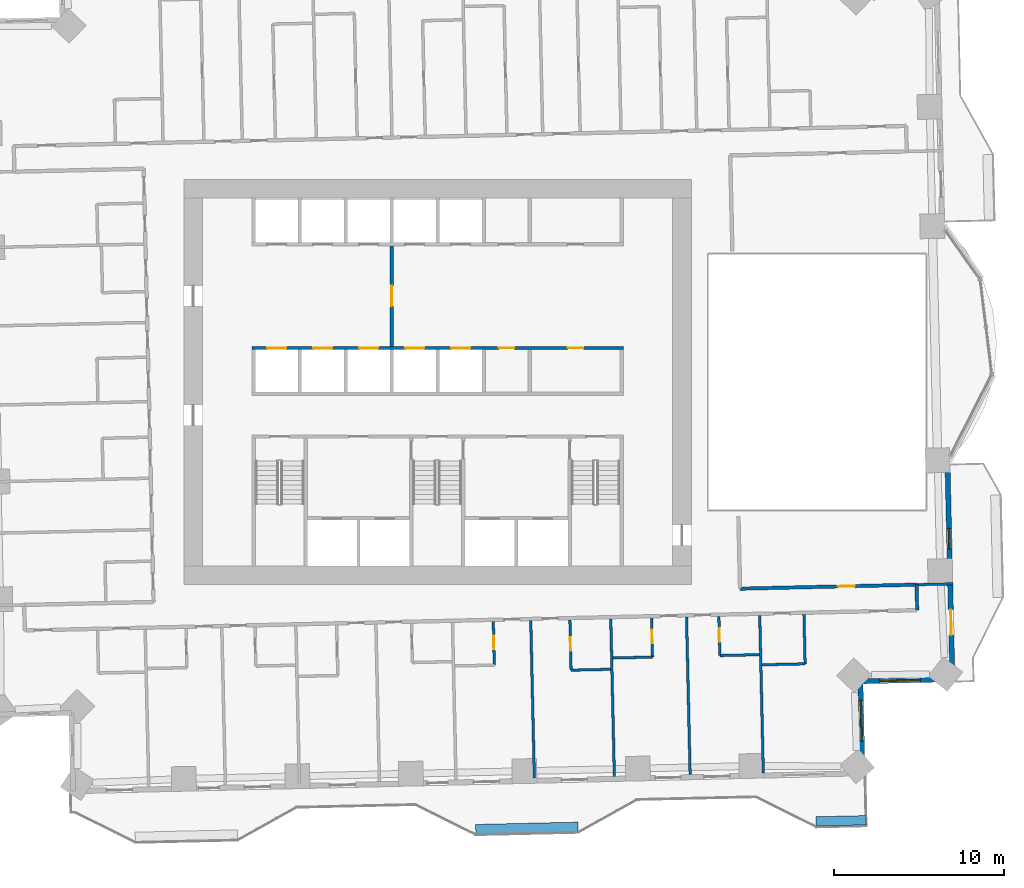
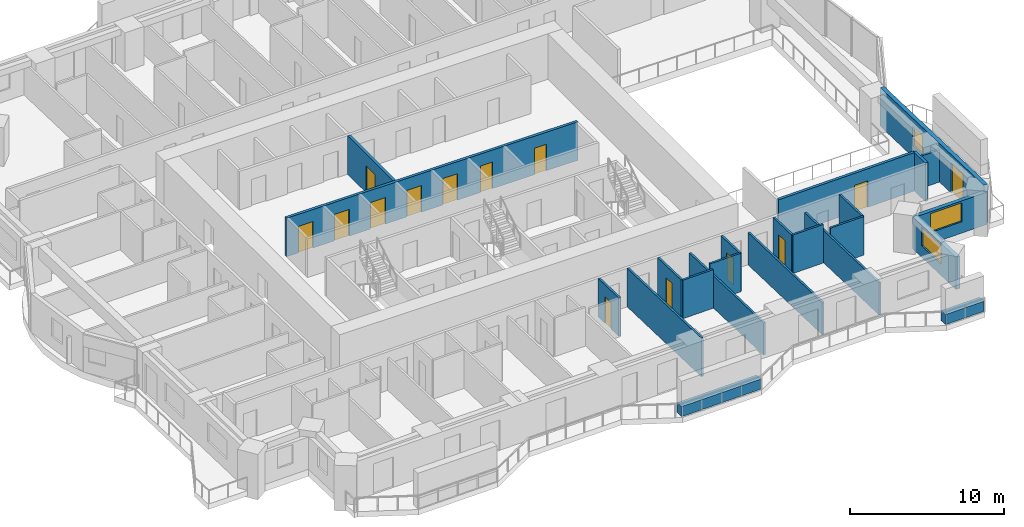
# One storey, part 9 of 17: 23 walls, 14 doors, 3 windows, 17 openings.
"""IFC4 building model written with IfcOpenShell, lengths in metres."""

from ifc_helpers import new_model, si_unit, direction, frame, frame_2d, origin, place, context, subcontext, project, spatial, rectangle, extrude, material, layer, layer_set, type_object, element, fill, save


model = new_model("IFC4")

# Units and contexts
model_context = context("Model", 3, precision=1e-05, world=origin(), true_north=direction((0.0, 1.0)))
body_context = subcontext(model_context, "Body", "Model", "MODEL_VIEW")
ifc_project = project(units=[si_unit("LENGTHUNIT", "METRE"), si_unit("AREAUNIT", "SQUARE_METRE"), si_unit("VOLUMEUNIT", "CUBIC_METRE"), si_unit("PLANEANGLEUNIT", "RADIAN"), si_unit("MASSUNIT", "GRAM", prefix="KILO")], contexts=[model_context])

# Site, building, storey
site_placement = place(None, origin())
site = spatial("IfcSite", under=ifc_project, at=site_placement, CompositionType="ELEMENT")
building_placement = place(site_placement, origin())
building = spatial("IfcBuilding", under=site, at=building_placement, Name="Mangrove Gate Tower", CompositionType="ELEMENT")
storey_placement = place(building_placement, frame((0.0, 0.0, 79.300048828125)))
storey = spatial("IfcBuildingStorey", under=building, at=storey_placement, Name="L19", CompositionType="ELEMENT", Elevation=79.300048828125)

# Wall, opening, door
ifc_material_1 = material(Name="Concrete C32/40", Category="concrete")
ifc_layer_1 = layer(ifc_material_1, 0.199951171875)
ifc_layer_set_1 = layer_set([ifc_layer_1], Name="Core lobby wall 200 C32/40")
wall_type_1 = type_object("IfcWallType", Name="Core lobby wall 200 C32/40", PredefinedType="STANDARD", material=ifc_layer_set_1)
wall_1_placement = place(storey_placement, frame((-2.699951171875, 2.10009765625, 0.0), z_axis=(0.0, 0.0, 1.0), x_axis=(0.0, 1.0, 0.0)))
wall_1 = element("IfcWall", 1, at=wall_1_placement, inside=storey, type_object=wall_type_1, Name="WALL-L19-CORE-35", PredefinedType="STANDARD", context=body_context, shape_type="SweptSolid", body=[
    extrude(rectangle(XDim=5.89990234375, YDim=0.199951171875, at=frame_2d((2.949951171875, 0.0))), origin(), (0.0, 0.0, 1.0), 3.050048828125),
])
opening_1_placement = place(wall_1_placement, frame((2.35009765625, 0.0, 0.0)))
opening_1 = element("IfcOpeningElement", 2, at=opening_1_placement, cuts=wall_1, Name="Opening FL12", PredefinedType="OPENING", context=body_context, shape_type="SweptSolid", body=[
    extrude(rectangle(XDim=1.199951171875, YDim=2.10009765625, at=frame_2d((0.60009765625, 1.050048828125))), frame((0.0, 0.10986328125, 0.0), z_axis=(0.0, -1.0, 0.0), x_axis=(1.0, 0.0, 0.0)), (0.0, 0.0, 1.0), 0.219970703125),
])
ifc_material_2 = material(Name="Fire-rated steel door set", Category="steel")
door_type_1 = type_object("IfcDoorType", Name="Lobby door FD60 1200x2100", OperationType="SINGLE_SWING_LEFT", PredefinedType="DOOR", material=ifc_material_2)
door_1_placement = place(opening_1_placement, origin())
door_1 = element("IfcDoor", 3, at=door_1_placement, inside=storey, type_object=door_type_1, Name="Lobby door lift lobby partition", OperationType="SINGLE_SWING_LEFT", OverallHeight=2.10009765625, OverallWidth=1.199951171875, PredefinedType="DOOR", context=body_context, shape_type="SweptSolid", body=[
    extrude(rectangle(XDim=1.199951171875, YDim=2.10009765625, at=frame_2d((0.60009765625, 1.050048828125))), frame((0.0, 0.02490234375, 0.0), z_axis=(0.0, -1.0, 0.0), x_axis=(1.0, 0.0, 0.0)), (0.0, 0.0, 1.0), 0.050048828125),
])
fill(opening_1, door_1)

# Wall, openings, doors
ifc_material_3 = material(Name="Concrete C70/85", Category="concrete")
ifc_layer_2 = layer(ifc_material_3, 0.199951171875)
ifc_layer_set_2 = layer_set([ifc_layer_2], Name="Core shaft wall 200 C70/85")
wall_type_2 = type_object("IfcWallType", Name="Core shaft wall 200 C70/85", PredefinedType="SHEAR", material=ifc_layer_set_2)
wall_2_placement = place(storey_placement, frame((-10.89990234375, 2.0, 0.0), z_axis=(0.0, 0.0, 1.0), x_axis=(1.0, 0.0, 0.0)))
wall_2 = element("IfcWall", 4, at=wall_2_placement, inside=storey, type_object=wall_type_2, Name="WALL-L19-CORE-7", PredefinedType="SHEAR", context=body_context, shape_type="SweptSolid", body=[
    extrude(rectangle(XDim=21.7998046875, YDim=0.199951171875, at=frame_2d((10.89990234375, 0.0))), origin(), (0.0, 0.0, 1.0), 3.050048828125),
])
opening_2_placement = place(wall_2_placement, frame((0.89990234375, 0.0, 0.0)))
opening_2 = element("IfcOpeningElement", 5, at=opening_2_placement, cuts=wall_2, Name="Opening LD", PredefinedType="OPENING", context=body_context, shape_type="SweptSolid", body=[
    extrude(rectangle(XDim=1.10009765625, YDim=2.10009765625, at=frame_2d((0.550048828125, 1.050048828125))), frame((0.0, 0.10986328125, 0.0), z_axis=(0.0, -1.0, 0.0), x_axis=(1.0, 0.0, 0.0)), (0.0, 0.0, 1.0), 0.219970703125),
])
opening_3_placement = place(wall_2_placement, frame((3.60009765625, 0.0, 0.0)))
opening_3 = element("IfcOpeningElement", 6, at=opening_3_placement, cuts=wall_2, Name="Opening LD", PredefinedType="OPENING", context=body_context, shape_type="SweptSolid", body=[
    extrude(rectangle(XDim=1.10009765625, YDim=2.10009765625, at=frame_2d((0.550048828125, 1.050048828125))), frame((0.0, 0.10986328125, 0.0), z_axis=(0.0, -1.0, 0.0), x_axis=(1.0, 0.0, 0.0)), (0.0, 0.0, 1.0), 0.219970703125),
])
opening_4_placement = place(wall_2_placement, frame((6.300048828125, 0.0, 0.0)))
opening_4 = element("IfcOpeningElement", 7, at=opening_4_placement, cuts=wall_2, Name="Opening LD", PredefinedType="OPENING", context=body_context, shape_type="SweptSolid", body=[
    extrude(rectangle(XDim=1.10009765625, YDim=2.10009765625, at=frame_2d((0.550048828125, 1.050048828125))), frame((0.0, 0.10986328125, 0.0), z_axis=(0.0, -1.0, 0.0), x_axis=(1.0, 0.0, 0.0)), (0.0, 0.0, 1.0), 0.219970703125),
])
opening_5_placement = place(wall_2_placement, frame((9.0, 0.0, 0.0)))
opening_5 = element("IfcOpeningElement", 8, at=opening_5_placement, cuts=wall_2, Name="Opening LD", PredefinedType="OPENING", context=body_context, shape_type="SweptSolid", body=[
    extrude(rectangle(XDim=1.10009765625, YDim=2.10009765625, at=frame_2d((0.550048828125, 1.050048828125))), frame((0.0, 0.10986328125, 0.0), z_axis=(0.0, -1.0, 0.0), x_axis=(1.0, 0.0, 0.0)), (0.0, 0.0, 1.0), 0.219970703125),
])
opening_6_placement = place(wall_2_placement, frame((11.699951171875, 0.0, 0.0)))
opening_6 = element("IfcOpeningElement", 9, at=opening_6_placement, cuts=wall_2, Name="Opening LD", PredefinedType="OPENING", context=body_context, shape_type="SweptSolid", body=[
    extrude(rectangle(XDim=1.10009765625, YDim=2.10009765625, at=frame_2d((0.550048828125, 1.050048828125))), frame((0.0, 0.10986328125, 0.0), z_axis=(0.0, -1.0, 0.0), x_axis=(1.0, 0.0, 0.0)), (0.0, 0.0, 1.0), 0.219970703125),
])
opening_7_placement = place(wall_2_placement, frame((14.5, 0.0, 0.0)))
opening_7 = element("IfcOpeningElement", 10, at=opening_7_placement, cuts=wall_2, Name="Opening KD", PredefinedType="OPENING", context=body_context, shape_type="SweptSolid", body=[
    extrude(rectangle(XDim=0.89990234375, YDim=2.10009765625, at=frame_2d((0.449951171875, 1.050048828125))), frame((0.0, 0.10986328125, 0.0), z_axis=(0.0, -1.0, 0.0), x_axis=(1.0, 0.0, 0.0)), (0.0, 0.0, 1.0), 0.219970703125),
])
opening_8_placement = place(wall_2_placement, frame((18.550048828125, 0.0, 0.0)))
opening_8 = element("IfcOpeningElement", 11, at=opening_8_placement, cuts=wall_2, Name="Opening RD", PredefinedType="OPENING", context=body_context, shape_type="SweptSolid", body=[
    extrude(rectangle(XDim=0.89990234375, YDim=2.10009765625, at=frame_2d((0.449951171875, 1.050048828125))), frame((0.0, 0.10986328125, 0.0), z_axis=(0.0, -1.0, 0.0), x_axis=(1.0, 0.0, 0.0)), (0.0, 0.0, 1.0), 0.219970703125),
])
ifc_material_4 = material(Name="Fire-rated steel door set", Category="steel")
door_type_2 = type_object("IfcDoorType", Name="Core room door FD30S 900x2100", OperationType="SINGLE_SWING_RIGHT", PredefinedType="DOOR", material=ifc_material_4)
door_2_placement = place(opening_7_placement, origin())
door_2 = element("IfcDoor", 12, at=door_2_placement, inside=storey, type_object=door_type_2, Name="Core room door Refuse store", OperationType="SINGLE_SWING_RIGHT", OverallHeight=2.10009765625, OverallWidth=0.89990234375, PredefinedType="DOOR", context=body_context, shape_type="SweptSolid", body=[
    extrude(rectangle(XDim=0.89990234375, YDim=2.10009765625, at=frame_2d((0.449951171875, 1.050048828125))), frame((0.0, 0.02490234375, 0.0), z_axis=(0.0, -1.0, 0.0), x_axis=(1.0, 0.0, 0.0)), (0.0, 0.0, 1.0), 0.050048828125),
])
fill(opening_7, door_2)
ifc_material_5 = material(Name="Stainless steel 316", Category="steel")
door_type_3 = type_object("IfcDoorType", Name="Lift landing door 1100x2100", OperationType="SLIDING_TO_LEFT", PredefinedType="DOOR", material=ifc_material_5)
door_3_placement = place(opening_2_placement, origin())
door_3 = element("IfcDoor", 13, at=door_3_placement, inside=storey, type_object=door_type_3, Name="Landing door LD P01", OperationType="SLIDING_TO_LEFT", OverallHeight=2.10009765625, OverallWidth=1.10009765625, PredefinedType="DOOR", context=body_context, shape_type="SweptSolid", body=[
    extrude(rectangle(XDim=1.10009765625, YDim=2.10009765625, at=frame_2d((0.550048828125, 1.050048828125))), frame((0.0, 0.02490234375, 0.0), z_axis=(0.0, -1.0, 0.0), x_axis=(1.0, 0.0, 0.0)), (0.0, 0.0, 1.0), 0.050048828125),
])
fill(opening_2, door_3)
door_4_placement = place(opening_3_placement, origin())
door_4 = element("IfcDoor", 14, at=door_4_placement, inside=storey, type_object=door_type_3, Name="Landing door LD P02", OperationType="SLIDING_TO_LEFT", OverallHeight=2.10009765625, OverallWidth=1.10009765625, PredefinedType="DOOR", context=body_context, shape_type="SweptSolid", body=[
    extrude(rectangle(XDim=1.10009765625, YDim=2.10009765625, at=frame_2d((0.550048828125, 1.050048828125))), frame((0.0, 0.02490234375, 0.0), z_axis=(0.0, -1.0, 0.0), x_axis=(1.0, 0.0, 0.0)), (0.0, 0.0, 1.0), 0.050048828125),
])
fill(opening_3, door_4)
door_5_placement = place(opening_4_placement, origin())
door_5 = element("IfcDoor", 15, at=door_5_placement, inside=storey, type_object=door_type_3, Name="Landing door LD P03", OperationType="SLIDING_TO_LEFT", OverallHeight=2.10009765625, OverallWidth=1.10009765625, PredefinedType="DOOR", context=body_context, shape_type="SweptSolid", body=[
    extrude(rectangle(XDim=1.10009765625, YDim=2.10009765625, at=frame_2d((0.550048828125, 1.050048828125))), frame((0.0, 0.02490234375, 0.0), z_axis=(0.0, -1.0, 0.0), x_axis=(1.0, 0.0, 0.0)), (0.0, 0.0, 1.0), 0.050048828125),
])
fill(opening_4, door_5)
door_6_placement = place(opening_5_placement, origin())
door_6 = element("IfcDoor", 16, at=door_6_placement, inside=storey, type_object=door_type_3, Name="Landing door LD P04", OperationType="SLIDING_TO_LEFT", OverallHeight=2.10009765625, OverallWidth=1.10009765625, PredefinedType="DOOR", context=body_context, shape_type="SweptSolid", body=[
    extrude(rectangle(XDim=1.10009765625, YDim=2.10009765625, at=frame_2d((0.550048828125, 1.050048828125))), frame((0.0, 0.02490234375, 0.0), z_axis=(0.0, -1.0, 0.0), x_axis=(1.0, 0.0, 0.0)), (0.0, 0.0, 1.0), 0.050048828125),
])
fill(opening_5, door_6)
door_7_placement = place(opening_6_placement, origin())
door_7 = element("IfcDoor", 17, at=door_7_placement, inside=storey, type_object=door_type_3, Name="Landing door LD P05", OperationType="SLIDING_TO_LEFT", OverallHeight=2.10009765625, OverallWidth=1.10009765625, PredefinedType="DOOR", context=body_context, shape_type="SweptSolid", body=[
    extrude(rectangle(XDim=1.10009765625, YDim=2.10009765625, at=frame_2d((0.550048828125, 1.050048828125))), frame((0.0, 0.02490234375, 0.0), z_axis=(0.0, -1.0, 0.0), x_axis=(1.0, 0.0, 0.0)), (0.0, 0.0, 1.0), 0.050048828125),
])
fill(opening_6, door_7)
ifc_material_6 = material(Name="Fire-rated steel door set", Category="steel")
door_type_4 = type_object("IfcDoorType", Name="Riser door FD30S 900x2100", OperationType="SINGLE_SWING_LEFT", PredefinedType="DOOR", material=ifc_material_6)
door_8_placement = place(opening_8_placement, origin())
door_8 = element("IfcDoor", 18, at=door_8_placement, inside=storey, type_object=door_type_4, Name="Riser door Electrical room", OperationType="SINGLE_SWING_LEFT", OverallHeight=2.10009765625, OverallWidth=0.89990234375, PredefinedType="DOOR", context=body_context, shape_type="SweptSolid", body=[
    extrude(rectangle(XDim=0.89990234375, YDim=2.10009765625, at=frame_2d((0.449951171875, 1.050048828125))), frame((0.0, 0.02490234375, 0.0), z_axis=(0.0, -1.0, 0.0), x_axis=(1.0, 0.0, 0.0)), (0.0, 0.0, 1.0), 0.050048828125),
])
fill(opening_8, door_8)

# Wall
ifc_material_7 = material(Name="Gypsum board on steel stud, EI 60", Category="steel")
ifc_layer_3 = layer(ifc_material_7, 0.199951171875)
ifc_layer_set_3 = layer_set([ifc_layer_3], Name="Corridor wall EI 60")
wall_type_3 = type_object("IfcWallType", Name="Corridor wall EI 60", PredefinedType="PARTITIONING", material=ifc_layer_set_3)
wall_3_placement = place(storey_placement, frame((28.157958984375, -13.40087890625, 0.0), z_axis=(0.0, 0.0, 1.0), x_axis=(-0.022636322434, 0.999743765625, 0.0)))
element("IfcWall", 19, at=wall_3_placement, inside=storey, type_object=wall_type_3, Name="WALL-L19-032", PredefinedType="PARTITIONING", context=body_context, shape_type="SweptSolid", body=[
    extrude(rectangle(XDim=1.499267578125, YDim=0.199951171875, at=frame_2d((0.74951171875, 0.0))), origin(), (0.0, 0.0, 1.0), 3.050048828125),
])

# Wall, opening, door
wall_4_placement = place(storey_placement, frame((17.7529296875, -12.136962890625, 0.0), z_axis=(0.0, 0.0, 1.0), x_axis=(0.999743727281, 0.022638015856, 0.0)))
wall_4 = element("IfcWall", 20, at=wall_4_placement, inside=storey, type_object=wall_type_3, Name="WALL-L19-037", PredefinedType="PARTITIONING", context=body_context, shape_type="SweptSolid", body=[
    extrude(rectangle(XDim=10.374755859375, YDim=0.199951171875, at=frame_2d((5.1875, 0.0))), origin(), (0.0, 0.0, 1.0), 3.050048828125),
])
opening_9_placement = place(wall_4_placement, frame((5.75, 0.0, 0.0)))
opening_9 = element("IfcOpeningElement", 21, at=opening_9_placement, cuts=wall_4, Name="Opening AD", PredefinedType="OPENING", context=body_context, shape_type="SweptSolid", body=[
    extrude(rectangle(XDim=1.0, YDim=2.10009765625, at=frame_2d((0.5, 1.050048828125))), frame((0.0, 0.10986328125, 0.0), z_axis=(0.0, -1.0, 0.0), x_axis=(1.0, 0.0, 0.0)), (0.0, 0.0, 1.0), 0.219970703125),
])
ifc_material_8 = material(Name="Timber door leaf", Category="wood")
door_type_5 = type_object("IfcDoorType", Name="Amenity door 1000", OperationType="SINGLE_SWING_LEFT", PredefinedType="DOOR", material=ifc_material_8)
door_9_placement = place(opening_9_placement, origin())
door_9 = element("IfcDoor", 22, at=door_9_placement, inside=storey, type_object=door_type_5, Name="DOOR-L19-GAM-c3b", OperationType="SINGLE_SWING_LEFT", OverallHeight=2.10009765625, OverallWidth=1.0, PredefinedType="DOOR", context=body_context, shape_type="SweptSolid", body=[
    extrude(rectangle(XDim=1.0, YDim=2.10009765625, at=frame_2d((0.5, 1.050048828125))), frame((0.0, 0.02490234375, 0.0), z_axis=(0.0, -1.0, 0.0), x_axis=(1.0, 0.0, 0.0)), (0.0, 0.0, 1.0), 0.050048828125),
])
fill(opening_9, door_9)

# Wall, openings, door, window
ifc_material_9 = material(Name="Limestone", Category="masonry")
ifc_layer_4 = layer(ifc_material_9, 0.0400390625, Name="Limestone cladding")
ifc_material_10 = material(Name="Ventilated air gap")
ifc_layer_5 = layer(ifc_material_10, 0.0400390625, Name="Ventilated cavity")
ifc_material_11 = material(Name="Mineral wool insulation")
ifc_layer_6 = layer(ifc_material_11, 0.06005859375, Name="Insulation")
ifc_material_12 = material(Name="Breather membrane")
ifc_layer_7 = layer(ifc_material_12, 0.001953125, Name="Breather membrane")
ifc_material_13 = material(Name="Concrete C20/25 blockwork", Category="masonry")
ifc_layer_8 = layer(ifc_material_13, 0.14990234375, Name="Blockwork backing wall")
ifc_material_14 = material(Name="Gypsum plaster")
ifc_layer_9 = layer(ifc_material_14, 0.008056640625, Name="Internal plaster")
ifc_layer_set_4 = layer_set([ifc_layer_4, ifc_layer_5, ifc_layer_6, ifc_layer_7, ifc_layer_8, ifc_layer_9], Name="External wall 300 limestone cladding")
wall_type_4 = type_object("IfcWallType", Name="External wall 300 limestone cladding", PredefinedType="SOLIDWALL", material=ifc_layer_set_4)
wall_5_placement = place(storey_placement, frame((30.22705078125, -17.455078125, 0.0), z_axis=(0.0, 0.0, 1.0), x_axis=(-0.022734702163, 0.999741533256, 0.0)))
wall_5 = element("IfcWall", 23, at=wall_5_placement, inside=storey, type_object=wall_type_4, Name="WALL-L19-E0", PredefinedType="SOLIDWALL", context=body_context, shape_type="SweptSolid", body=[
    extrude(rectangle(XDim=12.929443359375, YDim=0.300048828125, at=frame_2d((6.46484375, 0.0))), origin(), (0.0, 0.0, 1.0), 3.050048828125),
])
opening_10_placement = place(wall_5_placement, frame((2.592041015625, 0.0, 0.0)))
opening_10 = element("IfcOpeningElement", 24, at=opening_10_placement, cuts=wall_5, Name="Opening BD1", PredefinedType="OPENING", context=body_context, shape_type="SweptSolid", body=[
    extrude(rectangle(XDim=1.5, YDim=2.39990234375, at=frame_2d((0.75, 1.199951171875))), frame((0.0, 0.159912109375, 0.0), z_axis=(0.0, -1.0, 0.0), x_axis=(1.0, 0.0, 0.0)), (0.0, 0.0, 1.0), 0.320068359375),
])
opening_11_placement = place(wall_5_placement, frame((7.658935546875, 0.0, 0.89990234375)))
opening_11 = element("IfcOpeningElement", 25, at=opening_11_placement, cuts=wall_5, Name="Opening W1", PredefinedType="OPENING", context=body_context, shape_type="SweptSolid", body=[
    extrude(rectangle(XDim=1.199951171875, YDim=1.5, at=frame_2d((0.60009765625, 0.75))), frame((0.0, 0.159912109375, 0.0), z_axis=(0.0, -1.0, 0.0), x_axis=(1.0, 0.0, 0.0)), (0.0, 0.0, 1.0), 0.320068359375),
])
ifc_material_15 = material(Name="Aluminium frame with laminated clear glass", Category="aluminium")
door_type_6 = type_object("IfcDoorType", Name="Balcony sliding door 1500x2400", OperationType="SLIDING_TO_LEFT", PredefinedType="DOOR", material=ifc_material_15)
door_10_placement = place(opening_10_placement, origin())
door_10 = element("IfcDoor", 26, at=door_10_placement, inside=storey, type_object=door_type_6, Name="DOOR-L19-E0-1", OperationType="SLIDING_TO_LEFT", OverallHeight=2.39990234375, OverallWidth=1.5, PredefinedType="DOOR", context=body_context, shape_type="SweptSolid", body=[
    extrude(rectangle(XDim=1.5, YDim=2.39990234375, at=frame_2d((0.75, 1.199951171875))), frame((0.0, 0.02490234375, 0.0), z_axis=(0.0, -1.0, 0.0), x_axis=(1.0, 0.0, 0.0)), (0.0, 0.0, 1.0), 0.050048828125),
])
fill(opening_10, door_10)
ifc_material_16 = material(Name="Aluminium frame with double-glazed low-e glass", Category="aluminium")
window_type_1 = type_object("IfcWindowType", Name="Side lite 1200x1500", PartitioningType="SINGLE_PANEL", PredefinedType="WINDOW", material=ifc_material_16)
window_1_placement = place(opening_11_placement, origin())
window_1 = element("IfcWindow", 27, at=window_1_placement, inside=storey, type_object=window_type_1, Name="WIN-L19-E0-2", OverallHeight=1.5, OverallWidth=1.199951171875, PartitioningType="SINGLE_PANEL", PredefinedType="WINDOW", context=body_context, shape_type="SweptSolid", body=[
    extrude(rectangle(XDim=1.199951171875, YDim=1.5, at=frame_2d((0.60009765625, 0.75))), frame((0.0, 0.030029296875, 0.0), z_axis=(0.0, -1.0, 0.0), x_axis=(1.0, 0.0, 0.0)), (0.0, 0.0, 1.0), 0.06005859375),
])
fill(opening_11, window_1)

# Wall, opening, window
wall_6_placement = place(storey_placement, frame((24.950927734375, -22.97705078125, 0.0), z_axis=(0.0, 0.0, 1.0), x_axis=(-0.022784045517, 0.999740409941, 0.0)))
wall_6 = element("IfcWall", 28, at=wall_6_placement, inside=storey, type_object=wall_type_4, Name="WALL-L19-E14", PredefinedType="SOLIDWALL", context=body_context, shape_type="SweptSolid", body=[
    extrude(rectangle(XDim=5.400634765625, YDim=0.300048828125, at=frame_2d((2.7001953125, 0.0))), origin(), (0.0, 0.0, 1.0), 2.550048828125),
])
opening_12_placement = place(wall_6_placement, frame((1.885009765625, 0.0, 0.89990234375)))
opening_12 = element("IfcOpeningElement", 29, at=opening_12_placement, cuts=wall_6, Name="Opening W2", PredefinedType="OPENING", context=body_context, shape_type="SweptSolid", body=[
    extrude(rectangle(XDim=2.39990234375, YDim=1.5, at=frame_2d((1.199951171875, 0.75))), frame((0.0, 0.159912109375, 0.0), z_axis=(0.0, -1.0, 0.0), x_axis=(1.0, 0.0, 0.0)), (0.0, 0.0, 1.0), 0.320068359375),
])
ifc_material_17 = material(Name="Aluminium frame with double-glazed low-e glass", Category="aluminium")
window_type_2 = type_object("IfcWindowType", Name="Corner room window 2400x1500", PartitioningType="DOUBLE_PANEL_VERTICAL", PredefinedType="WINDOW", material=ifc_material_17)
window_2_placement = place(opening_12_placement, origin())
window_2 = element("IfcWindow", 30, at=window_2_placement, inside=storey, type_object=window_type_2, Name="WIN-L19-E14-1", OverallHeight=1.5, OverallWidth=2.39990234375, PartitioningType="DOUBLE_PANEL_VERTICAL", PredefinedType="WINDOW", context=body_context, shape_type="SweptSolid", body=[
    extrude(rectangle(XDim=2.39990234375, YDim=1.5, at=frame_2d((1.199951171875, 0.75))), frame((0.0, 0.030029296875, 0.0), z_axis=(0.0, -1.0, 0.0), x_axis=(1.0, 0.0, 0.0)), (0.0, 0.0, 1.0), 0.06005859375),
])
fill(opening_12, window_2)

wall_7_placement = place(storey_placement, frame((24.827880859375, -17.577880859375, 0.0), z_axis=(0.0, 0.0, 1.0), x_axis=(0.99974143864, 0.022738862475, 0.0)))
wall_7 = element("IfcWall", 31, at=wall_7_placement, inside=storey, type_object=wall_type_4, Name="WALL-L19-S15", PredefinedType="SOLIDWALL", context=body_context, shape_type="SweptSolid", body=[
    extrude(rectangle(XDim=5.400634765625, YDim=0.300048828125, at=frame_2d((2.7001953125, 0.0))), origin(), (0.0, 0.0, 1.0), 2.550048828125),
])
opening_13_placement = place(wall_7_placement, frame((1.116943359375, 0.0, 0.89990234375)))
opening_13 = element("IfcOpeningElement", 32, at=opening_13_placement, cuts=wall_7, Name="Opening W2", PredefinedType="OPENING", context=body_context, shape_type="SweptSolid", body=[
    extrude(rectangle(XDim=2.39990234375, YDim=1.5, at=frame_2d((1.199951171875, 0.75))), frame((0.0, 0.159912109375, 0.0), z_axis=(0.0, -1.0, 0.0), x_axis=(1.0, 0.0, 0.0)), (0.0, 0.0, 1.0), 0.320068359375),
])
window_3_placement = place(opening_13_placement, origin())
window_3 = element("IfcWindow", 33, at=window_3_placement, inside=storey, type_object=window_type_2, Name="WIN-L19-S15-1", OverallHeight=1.5, OverallWidth=2.39990234375, PartitioningType="DOUBLE_PANEL_VERTICAL", PredefinedType="WINDOW", context=body_context, shape_type="SweptSolid", body=[
    extrude(rectangle(XDim=2.39990234375, YDim=1.5, at=frame_2d((1.199951171875, 0.75))), frame((0.0, 0.030029296875, 0.0), z_axis=(0.0, -1.0, 0.0), x_axis=(1.0, 0.0, 0.0)), (0.0, 0.0, 1.0), 0.06005859375),
])
fill(opening_13, window_3)

# Walls
ifc_material_18 = material(Name="Gypsum board on steel stud, EI 60", Category="steel")
ifc_layer_10 = layer(ifc_material_18, 0.14990234375)
ifc_layer_set_5 = layer_set([ifc_layer_10], Name="Party wall 150 EI 60")
wall_type_5 = type_object("IfcWallType", Name="Party wall 150 EI 60", PredefinedType="PARTITIONING", material=ifc_layer_set_5)
wall_8_placement = place(storey_placement, frame((5.676025390625, -23.263916015625, 0.0), z_axis=(0.0, 0.0, 1.0), x_axis=(-0.022698023584, 0.999742366675, 0.0)))
element("IfcWall", 34, at=wall_8_placement, inside=storey, type_object=wall_type_5, Name="WALL-L19-006", PredefinedType="PARTITIONING", context=body_context, shape_type="SweptSolid", body=[
    extrude(rectangle(XDim=9.250244140625, YDim=0.14990234375, at=frame_2d((4.625, 0.0))), origin(), (0.0, 0.0, 1.0), 3.050048828125),
])
wall_9_placement = place(storey_placement, frame((10.375, -23.157958984375, 0.0), z_axis=(0.0, 0.0, 1.0), x_axis=(-0.022697424684, 0.999742380272, 0.0)))
element("IfcWall", 35, at=wall_9_placement, inside=storey, type_object=wall_type_5, Name="WALL-L19-007", PredefinedType="PARTITIONING", context=body_context, shape_type="SweptSolid", body=[
    extrude(rectangle(XDim=9.25048828125, YDim=0.14990234375, at=frame_2d((4.625244140625, 0.0))), origin(), (0.0, 0.0, 1.0), 2.550048828125),
])
wall_10_placement = place(storey_placement, frame((14.823974609375, -23.056884765625, 0.0), z_axis=(0.0, 0.0, 1.0), x_axis=(-0.022698023584, 0.999742366675, 0.0)))
element("IfcWall", 36, at=wall_10_placement, inside=storey, type_object=wall_type_5, Name="WALL-L19-008", PredefinedType="PARTITIONING", context=body_context, shape_type="SweptSolid", body=[
    extrude(rectangle(XDim=9.250244140625, YDim=0.14990234375, at=frame_2d((4.625, 0.0))), origin(), (0.0, 0.0, 1.0), 2.550048828125),
])
wall_11_placement = place(storey_placement, frame((19.123046875, -22.958984375, 0.0), z_axis=(0.0, 0.0, 1.0), x_axis=(-0.022697424684, 0.999742380272, 0.0)))
element("IfcWall", 37, at=wall_11_placement, inside=storey, type_object=wall_type_5, Name="WALL-L19-009", PredefinedType="PARTITIONING", context=body_context, shape_type="SweptSolid", body=[
    extrude(rectangle(XDim=9.25048828125, YDim=0.14990234375, at=frame_2d((4.625244140625, 0.0))), origin(), (0.0, 0.0, 1.0), 2.550048828125),
])

# Wall, opening, door
wall_12_placement = place(storey_placement, frame((7.8330078125, -16.923095703125, 0.0), z_axis=(0.0, 0.0, 1.0), x_axis=(-0.022601485787, 0.999744553794, 0.0)))
wall_12 = element("IfcWall", 38, at=wall_12_placement, inside=storey, type_object=wall_type_5, Name="WALL-L19-012", PredefinedType="PARTITIONING", context=body_context, shape_type="SweptSolid", body=[
    extrude(rectangle(XDim=2.959716796875, YDim=0.14990234375, at=frame_2d((1.47998046875, 0.0))), origin(), (0.0, 0.0, 1.0), 3.050048828125),
])
opening_14_placement = place(wall_12_placement, frame((1.1298828125, 0.0, 0.0)))
opening_14 = element("IfcOpeningElement", 39, at=opening_14_placement, cuts=wall_12, Name="Opening ED", PredefinedType="OPENING", context=body_context, shape_type="SweptSolid", body=[
    extrude(rectangle(XDim=0.800048828125, YDim=2.10009765625, at=frame_2d((0.39990234375, 1.050048828125))), frame((0.0, 0.0849609375, 0.0), z_axis=(0.0, -1.0, 0.0), x_axis=(1.0, 0.0, 0.0)), (0.0, 0.0, 1.0), 0.169921875),
])
ifc_material_19 = material(Name="Timber door leaf", Category="wood")
door_type_7 = type_object("IfcDoorType", Name="En-suite door 800", OperationType="SINGLE_SWING_LEFT", PredefinedType="DOOR", material=ifc_material_19)
door_11_placement = place(opening_14_placement, origin())
door_11 = element("IfcDoor", 40, at=door_11_placement, inside=storey, type_object=door_type_7, Name="DOOR-L19-ENS-c206", OperationType="SINGLE_SWING_RIGHT", OverallHeight=2.10009765625, OverallWidth=0.800048828125, PredefinedType="DOOR", context=body_context, shape_type="SweptSolid", body=[
    extrude(rectangle(XDim=0.800048828125, YDim=2.10009765625, at=frame_2d((0.39990234375, 1.050048828125))), frame((0.0, 0.02490234375, 0.0), z_axis=(0.0, -1.0, 0.0), x_axis=(1.0, 0.0, 0.0)), (0.0, 0.0, 1.0), 0.050048828125),
])
fill(opening_14, door_11)

# Walls
wall_13_placement = place(storey_placement, frame((7.8369140625, -16.923095703125, 0.0), z_axis=(0.0, 0.0, 1.0), x_axis=(0.999749744571, 0.022370700241, 0.0)))
element("IfcWall", 41, at=wall_13_placement, inside=storey, type_object=wall_type_5, Name="WALL-L19-013", PredefinedType="PARTITIONING", context=body_context, shape_type="SweptSolid", body=[
    extrude(rectangle(XDim=2.324462890625, YDim=0.14990234375, at=frame_2d((1.162109375, 0.0))), origin(), (0.0, 0.0, 1.0), 3.050048828125),
])
wall_14_placement = place(storey_placement, frame((19.05810546875, -16.60888671875, 0.0), z_axis=(0.0, 0.0, 1.0), x_axis=(0.999737322729, 0.022919108675, 0.0)))
element("IfcWall", 42, at=wall_14_placement, inside=storey, type_object=wall_type_5, Name="WALL-L19-014", PredefinedType="PARTITIONING", context=body_context, shape_type="SweptSolid", body=[
    extrude(rectangle(XDim=2.524658203125, YDim=0.14990234375, at=frame_2d((1.26220703125, 0.0))), origin(), (0.0, 0.0, 1.0), 3.050048828125),
])
wall_15_placement = place(storey_placement, frame((21.577880859375, -16.551025390625, 0.0), z_axis=(0.0, 0.0, 1.0), x_axis=(-0.022732880677, 0.999741574676, 0.0)))
element("IfcWall", 43, at=wall_15_placement, inside=storey, type_object=wall_type_5, Name="WALL-L19-015", PredefinedType="PARTITIONING", context=body_context, shape_type="SweptSolid", body=[
    extrude(rectangle(XDim=2.899658203125, YDim=0.14990234375, at=frame_2d((1.44970703125, 0.0))), origin(), (0.0, 0.0, 1.0), 3.050048828125),
])

# Wall, opening, door
wall_16_placement = place(storey_placement, frame((3.324951171875, -16.6259765625, 0.0), z_axis=(0.0, 0.0, 1.0), x_axis=(-0.022595793415, 0.999744682466, 0.0)))
wall_16 = element("IfcWall", 44, at=wall_16_placement, inside=storey, type_object=wall_type_5, Name="WALL-L19-017", PredefinedType="PARTITIONING", context=body_context, shape_type="SweptSolid", body=[
    extrude(rectangle(XDim=2.560791015625, YDim=0.14990234375, at=frame_2d((1.2802734375, 0.0))), origin(), (0.0, 0.0, 1.0), 3.050048828125),
])
opening_15_placement = place(wall_16_placement, frame((0.929931640625, 0.0, 0.0)))
opening_15 = element("IfcOpeningElement", 45, at=opening_15_placement, cuts=wall_16, Name="Opening ED", PredefinedType="OPENING", context=body_context, shape_type="SweptSolid", body=[
    extrude(rectangle(XDim=0.800048828125, YDim=2.10009765625, at=frame_2d((0.39990234375, 1.050048828125))), frame((0.0, 0.0849609375, 0.0), z_axis=(0.0, -1.0, 0.0), x_axis=(1.0, 0.0, 0.0)), (0.0, 0.0, 1.0), 0.169921875),
])
door_12_placement = place(opening_15_placement, origin())
door_12 = element("IfcDoor", 46, at=door_12_placement, inside=storey, type_object=door_type_7, Name="DOOR-L19-ENS-c205", OperationType="SINGLE_SWING_LEFT", OverallHeight=2.10009765625, OverallWidth=0.800048828125, PredefinedType="DOOR", context=body_context, shape_type="SweptSolid", body=[
    extrude(rectangle(XDim=0.800048828125, YDim=2.10009765625, at=frame_2d((0.39990234375, 1.050048828125))), frame((0.0, 0.02490234375, 0.0), z_axis=(0.0, -1.0, 0.0), x_axis=(1.0, 0.0, 0.0)), (0.0, 0.0, 1.0), 0.050048828125),
])
fill(opening_15, door_12)

# Wall
wall_17_placement = place(storey_placement, frame((10.2958984375, -16.20703125, 0.0), z_axis=(0.0, 0.0, 1.0), x_axis=(0.999750007167, 0.022358961731, 0.0)))
element("IfcWall", 47, at=wall_17_placement, inside=storey, type_object=wall_type_5, Name="WALL-L19-026", PredefinedType="PARTITIONING", context=body_context, shape_type="SweptSolid", body=[
    extrude(rectangle(XDim=2.32568359375, YDim=0.14990234375, at=frame_2d((1.162841796875, 0.0))), origin(), (0.0, 0.0, 1.0), 3.050048828125),
])

# Wall, opening, door
wall_18_placement = place(storey_placement, frame((12.616943359375, -16.155029296875, 0.0), z_axis=(0.0, 0.0, 1.0), x_axis=(-0.022603288534, 0.999744513037, 0.0)))
wall_18 = element("IfcWall", 48, at=wall_18_placement, inside=storey, type_object=wall_type_5, Name="WALL-L19-027", PredefinedType="PARTITIONING", context=body_context, shape_type="SweptSolid", body=[
    extrude(rectangle(XDim=2.300537109375, YDim=0.14990234375, at=frame_2d((1.150390625, 0.0))), origin(), (0.0, 0.0, 1.0), 3.050048828125),
])
opening_16_placement = place(wall_18_placement, frame((0.800048828125, 0.0, 0.0)))
opening_16 = element("IfcOpeningElement", 49, at=opening_16_placement, cuts=wall_18, Name="Opening ED", PredefinedType="OPENING", context=body_context, shape_type="SweptSolid", body=[
    extrude(rectangle(XDim=0.800048828125, YDim=2.10009765625, at=frame_2d((0.39990234375, 1.050048828125))), frame((0.0, 0.0849609375, 0.0), z_axis=(0.0, -1.0, 0.0), x_axis=(1.0, 0.0, 0.0)), (0.0, 0.0, 1.0), 0.169921875),
])
door_13_placement = place(opening_16_placement, origin())
door_13 = element("IfcDoor", 50, at=door_13_placement, inside=storey, type_object=door_type_7, Name="DOOR-L19-ENS-c207", OperationType="SINGLE_SWING_LEFT", OverallHeight=2.10009765625, OverallWidth=0.800048828125, PredefinedType="DOOR", context=body_context, shape_type="SweptSolid", body=[
    extrude(rectangle(XDim=0.800048828125, YDim=2.10009765625, at=frame_2d((0.39990234375, 1.050048828125))), frame((0.0, 0.02490234375, 0.0), z_axis=(0.0, -1.0, 0.0), x_axis=(1.0, 0.0, 0.0)), (0.0, 0.0, 1.0), 0.050048828125),
])
fill(opening_16, door_13)

wall_19_placement = place(storey_placement, frame((16.56591796875, -16.06494140625, 0.0), z_axis=(0.0, 0.0, 1.0), x_axis=(-0.022615284993, 0.999744241736, 0.0)))
wall_19 = element("IfcWall", 51, at=wall_19_placement, inside=storey, type_object=wall_type_5, Name="WALL-L19-028", PredefinedType="PARTITIONING", context=body_context, shape_type="SweptSolid", body=[
    extrude(rectangle(XDim=2.29931640625, YDim=0.14990234375, at=frame_2d((1.149658203125, 0.0))), origin(), (0.0, 0.0, 1.0), 3.050048828125),
])
opening_17_placement = place(wall_19_placement, frame((0.800048828125, 0.0, 0.0)))
opening_17 = element("IfcOpeningElement", 52, at=opening_17_placement, cuts=wall_19, Name="Opening ED", PredefinedType="OPENING", context=body_context, shape_type="SweptSolid", body=[
    extrude(rectangle(XDim=0.800048828125, YDim=2.10009765625, at=frame_2d((0.39990234375, 1.050048828125))), frame((0.0, 0.0849609375, 0.0), z_axis=(0.0, -1.0, 0.0), x_axis=(1.0, 0.0, 0.0)), (0.0, 0.0, 1.0), 0.169921875),
])
door_14_placement = place(opening_17_placement, origin())
door_14 = element("IfcDoor", 53, at=door_14_placement, inside=storey, type_object=door_type_7, Name="DOOR-L19-ENS-c308", OperationType="SINGLE_SWING_RIGHT", OverallHeight=2.10009765625, OverallWidth=0.800048828125, PredefinedType="DOOR", context=body_context, shape_type="SweptSolid", body=[
    extrude(rectangle(XDim=0.800048828125, YDim=2.10009765625, at=frame_2d((0.39990234375, 1.050048828125))), frame((0.0, 0.02490234375, 0.0), z_axis=(0.0, -1.0, 0.0), x_axis=(1.0, 0.0, 0.0)), (0.0, 0.0, 1.0), 0.050048828125),
])
fill(opening_17, door_14)

# Walls
wall_20_placement = place(storey_placement, frame((16.570068359375, -16.06494140625, 0.0), z_axis=(0.0, 0.0, 1.0), x_axis=(0.999740260747, 0.02279059109, 0.0)))
element("IfcWall", 54, at=wall_20_placement, inside=storey, type_object=wall_type_5, Name="WALL-L19-029", PredefinedType="PARTITIONING", context=body_context, shape_type="SweptSolid", body=[
    extrude(rectangle(XDim=2.324462890625, YDim=0.14990234375, at=frame_2d((1.162109375, 0.0))), origin(), (0.0, 0.0, 1.0), 3.050048828125),
])
wall_21_placement = place(storey_placement, frame((28.12109375, -11.902099609375, 0.0), z_axis=(0.0, 0.0, 1.0), x_axis=(0.999734443994, 0.023044337528, 0.0)))
element("IfcWall", 55, at=wall_21_placement, inside=storey, type_object=wall_type_5, Name="WALL-L19-039", PredefinedType="PARTITIONING", context=body_context, shape_type="SweptSolid", body=[
    extrude(rectangle(XDim=2.12939453125, YDim=0.14990234375, at=frame_2d((1.064697265625, 0.0))), origin(), (0.0, 0.0, 1.0), 2.550048828125),
])
ifc_material_20 = material(Name="Concrete C32/40", Category="concrete")
ifc_layer_11 = layer(ifc_material_20, 0.199951171875, Name="Planter trough wall")
ifc_material_21 = material(Name="Bituminous waterproofing membrane")
ifc_layer_12 = layer(ifc_material_21, 0.0048828125, Name="Waterproofing")
ifc_material_22 = material(Name="Drainage board and gravel")
ifc_layer_13 = layer(ifc_material_22, 0.044921875, Name="Drainage layer")
ifc_material_23 = material(Name="Planting soil")
ifc_layer_14 = layer(ifc_material_23, 0.300048828125, Name="Growing medium")
ifc_layer_set_6 = layer_set([ifc_layer_11, ifc_layer_12, ifc_layer_13, ifc_layer_14], Name="Planter wall 550 C32/40")
wall_type_6 = type_object("IfcWallType", Name="Planter wall 550 C32/40", PredefinedType="USERDEFINED", material=ifc_layer_set_6)
wall_22_placement = place(storey_placement, frame((2.23388671875, -26.258056640625, 0.0), z_axis=(0.0, 0.0, 1.0), x_axis=(0.999743094499, 0.022665943652, 0.0)))
element("IfcWall", 56, at=wall_22_placement, inside=storey, type_object=wall_type_6, Name="PLANTER L19 S1.1", ObjectType="PLANTER", PredefinedType="USERDEFINED", context=body_context, shape_type="SweptSolid", body=[
    extrude(rectangle(XDim=5.99951171875, YDim=0.550048828125, at=frame_2d((2.999755859375, 0.0))), origin(), (0.0, 0.0, 1.0), 0.800048828125),
])
wall_23_placement = place(storey_placement, frame((22.22802734375, -25.803955078125, 0.0), z_axis=(0.0, 0.0, 1.0), x_axis=(0.999740546409, 0.022778056687, 0.0)))
element("IfcWall", 57, at=wall_23_placement, inside=storey, type_object=wall_type_6, Name="PLANTER L19 S1.2", ObjectType="PLANTER", PredefinedType="USERDEFINED", context=body_context, shape_type="SweptSolid", body=[
    extrude(rectangle(XDim=2.936767578125, YDim=0.550048828125, at=frame_2d((1.46826171875, 0.0))), origin(), (0.0, 0.0, 1.0), 0.800048828125),
])

save(model, "model.ifc")
